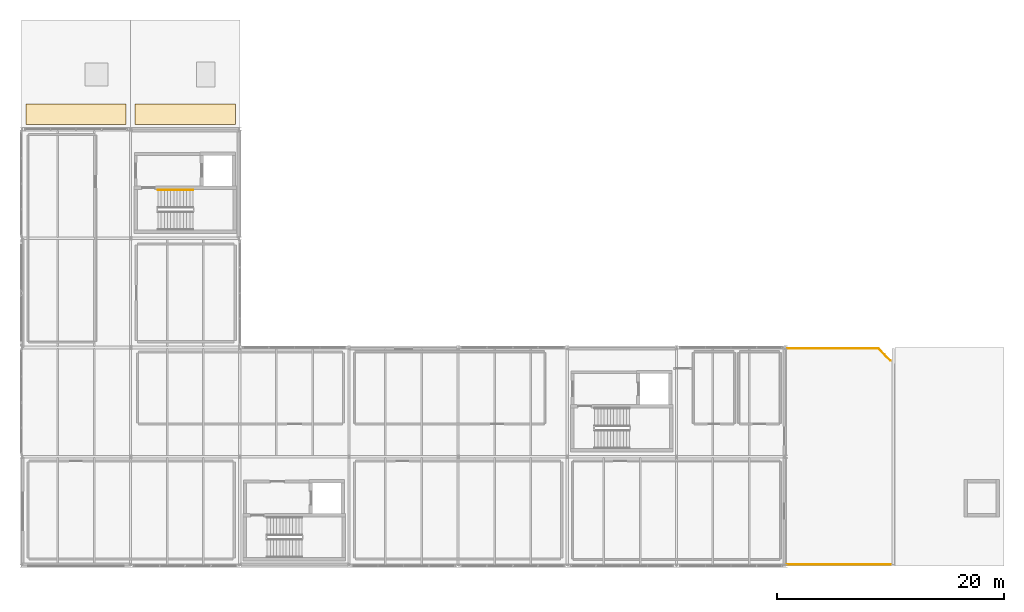
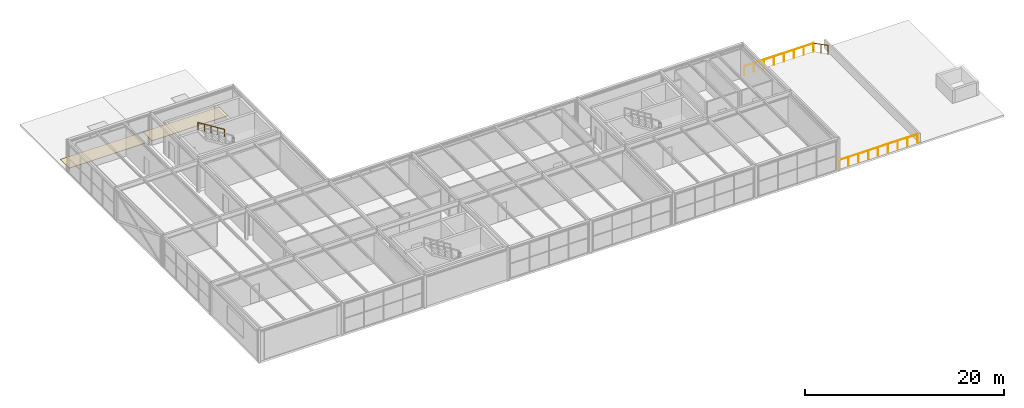
# One storey, part 39 of 39: 4 railings, 2 coverings.
"""IFC4 building model written with IfcOpenShell, lengths in metres."""

from ifc_helpers import new_model, si_unit, direction, frame, origin, origin_2d, place, context, subcontext, project, spatial, polyline, circle, outline, extrude, material, layer, layer_set, type_object, element, save


model = new_model("IFC4")

# Units and contexts
model_context = context("Model", 3, precision=1e-05, world=origin(), true_north=direction((0.0, 1.0)))
body_context = subcontext(model_context, "Body", "Model", "MODEL_VIEW")
ifc_project = project(units=[si_unit("LENGTHUNIT", "METRE"), si_unit("AREAUNIT", "SQUARE_METRE"), si_unit("VOLUMEUNIT", "CUBIC_METRE"), si_unit("PLANEANGLEUNIT", "RADIAN"), si_unit("MASSUNIT", "GRAM", prefix="KILO")], contexts=[model_context])

# Site, building, storey
site_placement = place(None, origin())
site = spatial("IfcSite", under=ifc_project, at=site_placement, CompositionType="ELEMENT")
building_placement = place(site_placement, origin())
building = spatial("IfcBuilding", under=site, at=building_placement, Name="Coralgate Yard Interchange", CompositionType="ELEMENT")
storey_placement = place(building_placement, frame((0.0, 0.0, 18.89990234375)))
storey = spatial("IfcBuildingStorey", under=building, at=storey_placement, Name="L04", CompositionType="ELEMENT", Elevation=18.89990234375)

# Coverings
ifc_material_1 = material(Name="High-albedo solar-reflective TPO coastal roof membrane")
ifc_layer = layer(ifc_material_1, 0.050048828125)
ifc_layer_set = layer_set([ifc_layer], Name="High-albedo solar-reflective TPO coastal roof membrane")
covering_type = type_object("IfcCoveringType", Name="COV-ROF1", PredefinedType="ROOFING", material=ifc_layer_set)
covering_1_placement = place(storey_placement, origin())
element("IfcCovering", 1, at=covering_1_placement, inside=storey, type_object=covering_type, Name="L04 high-albedo TPO roof membrane 7", PredefinedType="ROOFING", context=body_context, shape_type="SweptSolid", body=[
    extrude(outline(polyline([(0.39990234375, 38.800048828125), (9.199951171875, 38.800048828125), (9.199951171875, 40.60009765625), (0.39990234375, 40.60009765625), (0.39990234375, 38.800048828125)])), origin(), (0.0, 0.0, 1.0), 0.050048828125),
])
covering_2_placement = place(storey_placement, origin())
element("IfcCovering", 2, at=covering_2_placement, inside=storey, type_object=covering_type, Name="L04 high-albedo TPO roof membrane 8", PredefinedType="ROOFING", context=body_context, shape_type="SweptSolid", body=[
    extrude(outline(polyline([(10.0, 38.800048828125), (18.800048828125, 38.800048828125), (18.800048828125, 40.60009765625), (10.0, 40.60009765625), (10.0, 38.800048828125)])), origin(), (0.0, 0.0, 1.0), 0.050048828125),
])

# Railings
ifc_material_2 = material(Name="Galvanised and powder-coated steel guardrail", Category="steel")
railing_type_1 = type_object("IfcRailingType", Name="RLG-GR1100", PredefinedType="GUARDRAIL", material=ifc_material_2)
railing_1_placement = place(storey_placement, frame((67.300048828125, 19.10009765625, 0.0)))
element("IfcRailing", 3, at=railing_1_placement, inside=storey, type_object=railing_type_1, Name="L04 coastal veranda perimeter guardrail 1", PredefinedType="GUARDRAIL", context=body_context, shape_type="SweptSolid", body=[
    extrude(circle(Radius=0.02392578125, at=origin_2d()), frame((0.0, 0.0, 1.0810546875), z_axis=(1.0, 0.0, 0.0), x_axis=(0.0, 1.0, 0.0)), (0.0, 0.0, 1.0), 8.05859375),
    extrude(circle(Radius=0.02099609375, at=origin_2d()), origin(), (0.0, 0.0, 1.0), 1.056396484375),
    extrude(circle(Radius=0.02099609375, at=origin_2d()), frame((1.151123046875, 0.0, 0.0)), (0.0, 0.0, 1.0), 1.056396484375),
    extrude(circle(Radius=0.02099609375, at=origin_2d()), frame((2.302490234375, 0.0, 0.0)), (0.0, 0.0, 1.0), 1.056396484375),
    extrude(circle(Radius=0.02099609375, at=origin_2d()), frame((3.45361328125, 0.0, 0.0)), (0.0, 0.0, 1.0), 1.056396484375),
    extrude(circle(Radius=0.02099609375, at=origin_2d()), frame((4.60498046875, 0.0, 0.0)), (0.0, 0.0, 1.0), 1.056396484375),
    extrude(circle(Radius=0.02099609375, at=origin_2d()), frame((5.756103515625, 0.0, 0.0)), (0.0, 0.0, 1.0), 1.056396484375),
    extrude(circle(Radius=0.02099609375, at=origin_2d()), frame((6.907470703125, 0.0, 0.0)), (0.0, 0.0, 1.0), 1.056396484375),
    extrude(circle(Radius=0.02099609375, at=origin_2d()), frame((8.05859375, 0.0, 0.0)), (0.0, 0.0, 1.0), 1.056396484375),
])
railing_2_placement = place(storey_placement, frame((75.358642578125, 19.10009765625, 0.0)))
element("IfcRailing", 4, at=railing_2_placement, inside=storey, type_object=railing_type_1, Name="L04 coastal veranda perimeter guardrail 2", PredefinedType="GUARDRAIL", context=body_context, shape_type="SweptSolid", body=[
    extrude(circle(Radius=0.02392578125, at=origin_2d()), frame((0.0, 0.0, 1.0810546875), z_axis=(0.707025453132, -0.707188099889, 0.0), x_axis=(0.707188099889, 0.707025453132, 0.0)), (0.0, 0.0, 1.0), 1.5009765625),
    extrude(circle(Radius=0.02099609375, at=origin_2d()), origin(), (0.0, 0.0, 1.0), 1.056396484375),
    extrude(circle(Radius=0.02099609375, at=origin_2d()), frame((0.53076171875, -0.53076171875, 0.0)), (0.0, 0.0, 1.0), 1.056396484375),
    extrude(circle(Radius=0.02099609375, at=origin_2d()), frame((1.061279296875, -1.0615234375, 0.0)), (0.0, 0.0, 1.0), 1.056396484375),
])
railing_3_placement = place(storey_placement, frame((76.419921875, 0.10009765625, 0.0)))
element("IfcRailing", 5, at=railing_3_placement, inside=storey, type_object=railing_type_1, Name="L04 coastal veranda perimeter guardrail 4", PredefinedType="GUARDRAIL", context=body_context, shape_type="SweptSolid", body=[
    extrude(circle(Radius=0.02392578125, at=origin_2d()), frame((0.0, 0.0, 1.0810546875), z_axis=(-1.0, 0.0, 0.0), x_axis=(0.0, -1.0, 0.0)), (0.0, 0.0, 1.0), 9.119873046875),
    extrude(circle(Radius=0.02099609375, at=origin_2d()), origin(), (0.0, 0.0, 1.0), 1.056396484375),
    extrude(circle(Radius=0.02099609375, at=origin_2d()), frame((-1.139892578125, 0.0, 0.0)), (0.0, 0.0, 1.0), 1.056396484375),
    extrude(circle(Radius=0.02099609375, at=origin_2d()), frame((-2.280029296875, 0.0, 0.0)), (0.0, 0.0, 1.0), 1.056396484375),
    extrude(circle(Radius=0.02099609375, at=origin_2d()), frame((-3.419921875, 0.0, 0.0)), (0.0, 0.0, 1.0), 1.056396484375),
    extrude(circle(Radius=0.02099609375, at=origin_2d()), frame((-4.56005859375, 0.0, 0.0)), (0.0, 0.0, 1.0), 1.056396484375),
    extrude(circle(Radius=0.02099609375, at=origin_2d()), frame((-5.699951171875, 0.0, 0.0)), (0.0, 0.0, 1.0), 1.056396484375),
    extrude(circle(Radius=0.02099609375, at=origin_2d()), frame((-6.83984375, 0.0, 0.0)), (0.0, 0.0, 1.0), 1.056396484375),
    extrude(circle(Radius=0.02099609375, at=origin_2d()), frame((-7.97998046875, 0.0, 0.0)), (0.0, 0.0, 1.0), 1.056396484375),
    extrude(circle(Radius=0.02099609375, at=origin_2d()), frame((-9.119873046875, 0.0, 0.0)), (0.0, 0.0, 1.0), 1.056396484375),
])
ifc_material_3 = material(Name="Grade 316 marine stainless steel", Category="steel")
railing_type_2 = type_object("IfcRailingType", Name="RLG-HR900", PredefinedType="HANDRAIL", material=ifc_material_3)
railing_4_placement = place(storey_placement, frame((15.080078125, 33.06005859375, 2.275146484375)))
element("IfcRailing", 6, at=railing_4_placement, inside=storey, type_object=railing_type_2, Name="L04 ST-01 stair handrail 2", PredefinedType="HANDRAIL", context=body_context, shape_type="SweptSolid", body=[
    extrude(circle(Radius=0.02392578125, at=origin_2d()), frame((0.0, 0.0, 0.8759765625), z_axis=(-0.847998304005, 0.0, 0.529998940003), x_axis=(0.0, -1.0, 0.0)), (0.0, 0.0, 1.0), 3.632080078125),
    extrude(circle(Radius=0.02099609375, at=origin_2d()), origin(), (0.0, 0.0, 1.0), 0.851318359375),
    extrude(circle(Radius=0.02099609375, at=origin_2d()), frame((-0.77001953125, 0.0, 0.481201171875)), (0.0, 0.0, 1.0), 0.851318359375),
    extrude(circle(Radius=0.02099609375, at=origin_2d()), frame((-1.5400390625, 0.0, 0.96240234375)), (0.0, 0.0, 1.0), 0.851318359375),
    extrude(circle(Radius=0.02099609375, at=origin_2d()), frame((-2.31005859375, 0.0, 1.44384765625)), (0.0, 0.0, 1.0), 0.851318359375),
    extrude(circle(Radius=0.02099609375, at=origin_2d()), frame((-3.080078125, 0.0, 1.925048828125)), (0.0, 0.0, 1.0), 0.851318359375),
])

save(model, "model.ifc")
